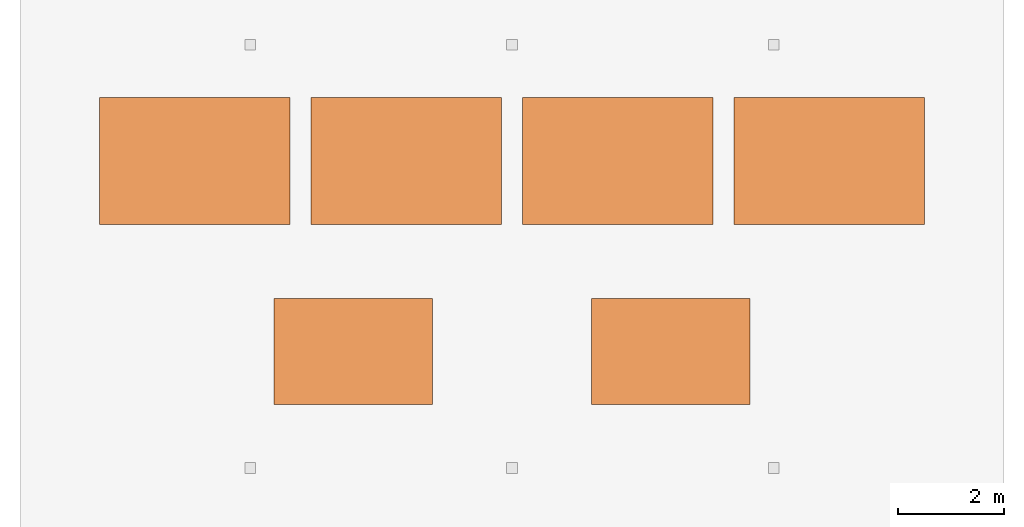
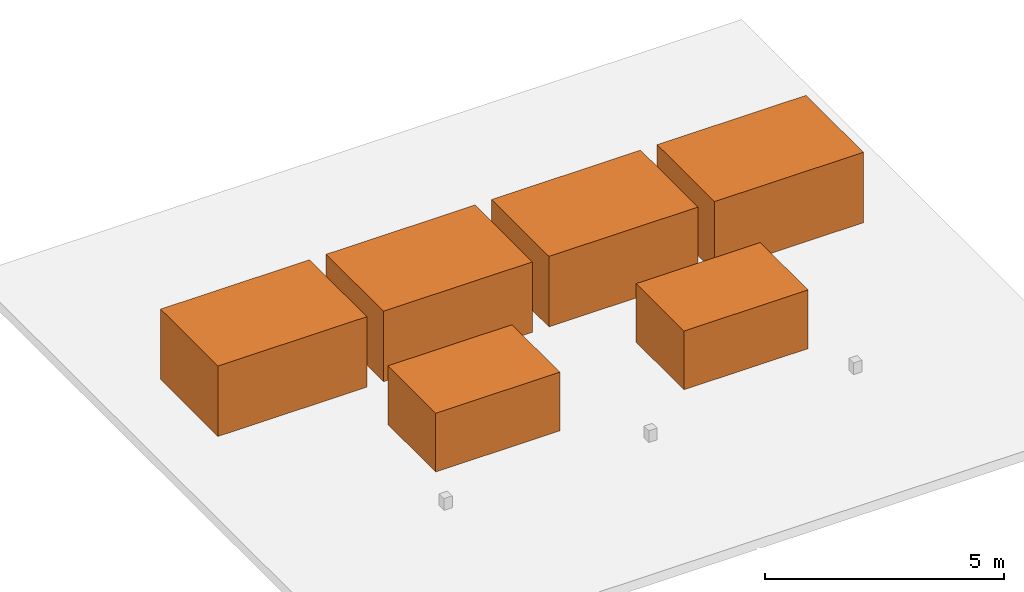
# One storey, part 2 of 2: 6 proxies.
"""IFC4 building model written with IfcOpenShell, lengths in metres."""

from ifc_helpers import new_model, si_unit, direction, frame, origin, origin_2d, place, context, subcontext, project, spatial, rectangle, extrude, element, save


model = new_model("IFC4")

# Units and contexts
model_context = context("Model", 3, precision=1e-05, world=origin(), true_north=direction((0.0, 1.0)))
body_context = subcontext(model_context, "Body", "Model", "MODEL_VIEW")
ifc_project = project(units=[si_unit("LENGTHUNIT", "METRE"), si_unit("AREAUNIT", "SQUARE_METRE"), si_unit("VOLUMEUNIT", "CUBIC_METRE"), si_unit("PLANEANGLEUNIT", "RADIAN"), si_unit("MASSUNIT", "GRAM", prefix="KILO")], contexts=[model_context])

# Site, building, storey
site_placement = place(None, origin())
site = spatial("IfcSite", under=ifc_project, at=site_placement, CompositionType="ELEMENT")
building_placement = place(site_placement, origin())
building = spatial("IfcBuilding", under=site, at=building_placement, Name="Hankou Lantern Tower", CompositionType="ELEMENT")
storey_placement = place(building_placement, frame((0.0, 0.0, 252.89990234375)))
storey = spatial("IfcBuildingStorey", under=building, at=storey_placement, Name="ROOF", CompositionType="ELEMENT", Elevation=252.89990234375)

# Proxies
proxy_1_placement = place(storey_placement, frame((-6.0, 1.800048828125, 0.0), z_axis=(0.0, 0.0, 1.0), x_axis=(1.0, 0.0, 0.0)))
element("IfcBuildingElementProxy", 1, at=proxy_1_placement, inside=storey, Name="Stair A pressurisation fan unit PF1 on the core head-house roof", ObjectType="STAIR A PRESSURISATION FAN UNIT", PredefinedType="USERDEFINED", context=body_context, shape_type="SweptSolid", body=[
    extrude(rectangle(XDim=3.60009765625, YDim=2.39990234375, at=origin_2d()), origin(), (0.0, 0.0, 1.0), 1.800048828125),
])
proxy_2_placement = place(storey_placement, frame((-2.0, 1.800048828125, 0.0), z_axis=(0.0, 0.0, 1.0), x_axis=(1.0, 0.0, 0.0)))
element("IfcBuildingElementProxy", 2, at=proxy_2_placement, inside=storey, Name="Stair A lobby pressurisation fan unit PF2 on the core head-house roof", ObjectType="STAIR A LOBBY PRESSURISATION FAN UNIT", PredefinedType="USERDEFINED", context=body_context, shape_type="SweptSolid", body=[
    extrude(rectangle(XDim=3.60009765625, YDim=2.39990234375, at=origin_2d()), origin(), (0.0, 0.0, 1.0), 1.800048828125),
])
proxy_3_placement = place(storey_placement, frame((2.0, 1.800048828125, 0.0), z_axis=(0.0, 0.0, 1.0), x_axis=(1.0, 0.0, 0.0)))
element("IfcBuildingElementProxy", 3, at=proxy_3_placement, inside=storey, Name="Stair B pressurisation fan unit PF3 on the core head-house roof", ObjectType="STAIR B PRESSURISATION FAN UNIT", PredefinedType="USERDEFINED", context=body_context, shape_type="SweptSolid", body=[
    extrude(rectangle(XDim=3.60009765625, YDim=2.39990234375, at=origin_2d()), origin(), (0.0, 0.0, 1.0), 1.800048828125),
])
proxy_4_placement = place(storey_placement, frame((6.0, 1.800048828125, 0.0), z_axis=(0.0, 0.0, 1.0), x_axis=(1.0, 0.0, 0.0)))
element("IfcBuildingElementProxy", 4, at=proxy_4_placement, inside=storey, Name="Stair B lobby pressurisation fan unit PF4 on the core head-house roof", ObjectType="STAIR B LOBBY PRESSURISATION FAN UNIT", PredefinedType="USERDEFINED", context=body_context, shape_type="SweptSolid", body=[
    extrude(rectangle(XDim=3.60009765625, YDim=2.39990234375, at=origin_2d()), origin(), (0.0, 0.0, 1.0), 1.800048828125),
])
for number, where, z_axis, x_axis, name in (
    (5, (-3.0, -1.800048828125, 0.0), (0.0, 0.0, 1.0), (1.0, 0.0, 0.0), "Corridor smoke exhaust fan unit SX1 on the core head-house roof"),
    (6, (3.0, -1.800048828125, 0.0), (0.0, 0.0, 1.0), (1.0, 0.0, 0.0), "Corridor smoke exhaust fan unit SX2 on the core head-house roof"),
):
    element("IfcBuildingElementProxy", number, at=place(storey_placement, frame(where, z_axis=z_axis, x_axis=x_axis)), inside=storey, Name=name, ObjectType="CORRIDOR SMOKE EXHAUST FAN UNIT", PredefinedType="USERDEFINED", context=body_context, shape_type="SweptSolid", body=[
        extrude(rectangle(XDim=3.0, YDim=2.0, at=origin_2d()), origin(), (0.0, 0.0, 1.0), 1.5),
    ])

save(model, "model.ifc")
